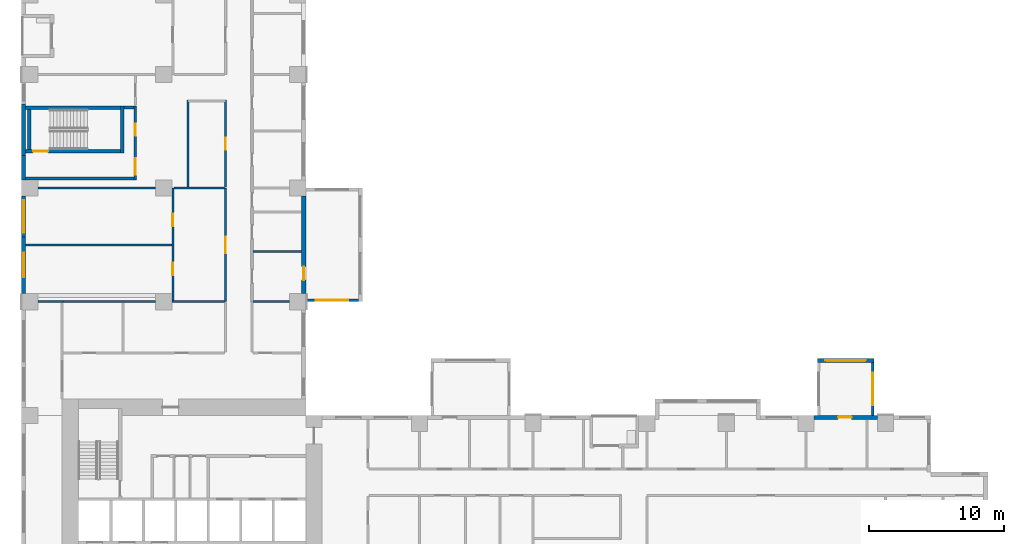
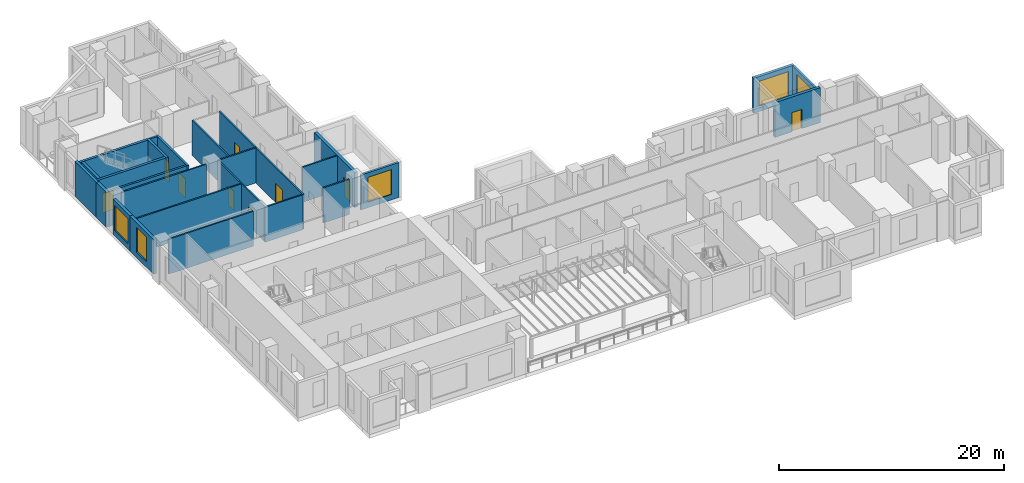
# One storey, part 8 of 16: 28 walls, 9 doors, 5 windows, 14 openings.
"""IFC4 building model written with IfcOpenShell, lengths in metres."""

from ifc_helpers import new_model, si_unit, direction, frame, frame_2d, origin, place, context, subcontext, project, spatial, rectangle, extrude, source, transform, mapped, material, layer, layer_set, type_object, element, fill, save


model = new_model("IFC4")

# Units and contexts
model_context = context("Model", 3, precision=1e-05, world=origin(), true_north=direction((0.0, 1.0)))
body_context = subcontext(model_context, "Body", "Model", "MODEL_VIEW")
ifc_project = project(units=[si_unit("LENGTHUNIT", "METRE"), si_unit("AREAUNIT", "SQUARE_METRE"), si_unit("VOLUMEUNIT", "CUBIC_METRE"), si_unit("PLANEANGLEUNIT", "RADIAN"), si_unit("MASSUNIT", "GRAM", prefix="KILO")], contexts=[model_context])

# Site, building, storey
site_placement = place(None, origin())
site = spatial("IfcSite", under=ifc_project, at=site_placement, CompositionType="ELEMENT")
building_placement = place(site_placement, origin())
building = spatial("IfcBuilding", under=site, at=building_placement, Name="Aurelian Terraces", CompositionType="ELEMENT")
storey_placement = place(building_placement, frame((0.0, 0.0, 95.1)))
storey = spatial("IfcBuildingStorey", under=building, at=storey_placement, Name="L20", CompositionType="ELEMENT", Elevation=95.1)

# Wall, opening, door
ifc_material_1 = material(Name="Terracotta rainscreen cladding", Category="masonry")
ifc_layer_1 = layer(ifc_material_1, 0.3)
ifc_layer_set_1 = layer_set([ifc_layer_1], Name="EW-300")
wall_type_1 = type_object("IfcWallType", Name="EW-300", PredefinedType="STANDARD", material=ifc_layer_set_1)
shared_shape_1 = source(origin(), body_context, "Body", "SweptSolid", [
    extrude(rectangle(XDim=7.2, YDim=0.3, at=frame_2d((3.6, 0.0))), origin(), (0.0, 0.0, 1.0), 3.8),
])
wall_1_placement = place(storey_placement, frame((20.85, 30.0, 0.0), z_axis=(0.0, 0.0, 1.0), x_axis=(0.0, 1.0, 0.0)))
wall_1 = element("IfcWall", 1, at=wall_1_placement, inside=storey, type_object=wall_type_1, Name="External wall L20 F12.26", PredefinedType="STANDARD", context=body_context, shape_type="MappedRepresentation", body=[
    mapped(shared_shape_1, transform((0.0, 0.0, 0.0), scale=1.0)),
])
shared_shape_2 = source(origin(), body_context, "Body", "SweptSolid", [
    extrude(rectangle(XDim=1.0, YDim=2.1, at=frame_2d((0.5, 1.05))), frame((0.0, 0.16, 0.0), z_axis=(0.0, -1.0, 0.0), x_axis=(1.0, 0.0, 0.0)), (0.0, 0.0, 1.0), 0.32),
])
opening_1_placement = place(wall_1_placement, frame((1.0, 0.0, 0.0)))
opening_1 = element("IfcOpeningElement", 2, at=opening_1_placement, cuts=wall_1, Name="Opening 820003", PredefinedType="OPENING", context=body_context, shape_type="MappedRepresentation", body=[
    mapped(shared_shape_2, transform((0.0, 0.0, 0.0), scale=1.0)),
])
ifc_material_2 = material(Name="Timber door leaf", Category="wood")
door_type_1 = type_object("IfcDoorType", Name="Room door 1000x2100 left", OperationType="SINGLE_SWING_LEFT", PredefinedType="DOOR", material=ifc_material_2)
shared_shape_3 = source(origin(), body_context, "Body", "SweptSolid", [
    extrude(rectangle(XDim=1.0, YDim=2.1, at=frame_2d((0.5, 1.05))), frame((0.0, 0.025, 0.0), z_axis=(0.0, -1.0, 0.0), x_axis=(1.0, 0.0, 0.0)), (0.0, 0.0, 1.0), 0.05),
])
door_1_placement = place(opening_1_placement, origin())
door_1 = element("IfcDoor", 3, at=door_1_placement, inside=storey, type_object=door_type_1, Name="Door 820003", OperationType="SINGLE_SWING_LEFT", OverallHeight=2.1, OverallWidth=1.0, PredefinedType="DOOR", context=body_context, shape_type="MappedRepresentation", body=[
    mapped(shared_shape_3, transform((0.0, 0.0, 0.0), scale=1.0)),
])
fill(opening_1, door_1)

shared_shape_4 = source(origin(), body_context, "Body", "SweptSolid", [
    extrude(rectangle(XDim=4.68, YDim=0.3, at=frame_2d((2.34, 0.0))), origin(), (0.0, 0.0, 1.0), 3.8),
])
wall_2_placement = place(storey_placement, frame((63.24, 20.85, 0.0), z_axis=(0.0, 0.0, 1.0), x_axis=(-1.0, 0.0, 0.0)))
wall_2 = element("IfcWall", 4, at=wall_2_placement, inside=storey, type_object=wall_type_1, Name="External wall L20 F11.21", PredefinedType="STANDARD", context=body_context, shape_type="MappedRepresentation", body=[
    mapped(shared_shape_4, transform((0.0, 0.0, 0.0), scale=1.0)),
])
opening_2_placement = place(wall_2_placement, frame((1.8983, 0.0, 0.0)))
opening_2 = element("IfcOpeningElement", 5, at=opening_2_placement, cuts=wall_2, Name="Opening 820002", PredefinedType="OPENING", context=body_context, shape_type="MappedRepresentation", body=[
    mapped(shared_shape_2, transform((0.0, 0.0, 0.0), scale=1.0)),
])
door_2_placement = place(opening_2_placement, origin())
door_2 = element("IfcDoor", 6, at=door_2_placement, inside=storey, type_object=door_type_1, Name="Door 820002", OperationType="SINGLE_SWING_LEFT", OverallHeight=2.1, OverallWidth=1.0, PredefinedType="DOOR", context=body_context, shape_type="MappedRepresentation", body=[
    mapped(shared_shape_3, transform((0.0, 0.0, 0.0), scale=1.0)),
])
fill(opening_2, door_2)

# Walls
ifc_material_3 = material(Name="Concrete fc' 40 MPa", Category="concrete")
ifc_layer_2 = layer(ifc_material_3, 0.3)
ifc_layer_set_2 = layer_set([ifc_layer_2], Name="STAIR BAY WALL 300")
wall_type_2 = type_object("IfcWallType", Name="STAIR BAY WALL 300", PredefinedType="SOLIDWALL", material=ifc_layer_set_2)
shared_shape_5 = source(origin(), body_context, "Body", "SweptSolid", [
    extrude(rectangle(XDim=3.8, YDim=0.3, at=frame_2d((1.9, 0.0))), origin(), (0.0, 0.0, 1.0), 3.8),
])
wall_3_placement = place(storey_placement, frame((0.15, 44.0, 0.0), z_axis=(0.0, 0.0, 1.0), x_axis=(0.0, -1.0, 0.0)))
element("IfcWall", 7, at=wall_3_placement, inside=storey, type_object=wall_type_2, Name="Stair bay wall L20 F18.38", PredefinedType="SOLIDWALL", context=body_context, shape_type="MappedRepresentation", body=[
    mapped(shared_shape_5, transform((0.0, 0.0, 0.0), scale=1.0)),
])
shared_shape_6 = source(origin(), body_context, "Body", "SweptSolid", [
    extrude(rectangle(XDim=1.8, YDim=0.3, at=frame_2d((0.9, 0.0))), origin(), (0.0, 0.0, 1.0), 3.8),
])
wall_4_placement = place(storey_placement, frame((0.15, 40.2, 0.0), z_axis=(0.0, 0.0, 1.0), x_axis=(0.0, -1.0, 0.0)))
element("IfcWall", 8, at=wall_4_placement, inside=storey, type_object=wall_type_1, Name="External wall L20 F18.38", PredefinedType="STANDARD", context=body_context, shape_type="MappedRepresentation", body=[
    mapped(shared_shape_6, transform((0.0, 0.0, 0.0), scale=1.0)),
])

# Wall, opening, window
shared_shape_7 = source(origin(), body_context, "Body", "SweptSolid", [
    extrude(rectangle(XDim=3.0, YDim=0.3, at=frame_2d((1.5, 0.0))), origin(), (0.0, 0.0, 1.0), 3.8),
])
wall_5_placement = place(storey_placement, frame((0.15, 37.2, 0.0), z_axis=(0.0, 0.0, 1.0), x_axis=(0.0, -1.0, 0.0)))
wall_5 = element("IfcWall", 9, at=wall_5_placement, inside=storey, type_object=wall_type_1, Name="External wall L20 F18.38", PredefinedType="STANDARD", context=body_context, shape_type="MappedRepresentation", body=[
    mapped(shared_shape_7, transform((0.0, 0.0, 0.0), scale=1.0)),
])
shared_shape_8 = source(origin(), body_context, "Body", "SweptSolid", [
    extrude(rectangle(XDim=2.4, YDim=2.7, at=frame_2d((1.2, 1.35))), frame((0.0, 0.16, 0.0), z_axis=(0.0, -1.0, 0.0), x_axis=(1.0, 0.0, 0.0)), (0.0, 0.0, 1.0), 0.32),
])
opening_3_placement = place(wall_5_placement, frame((0.3, 0.0, 0.6)))
opening_3 = element("IfcOpeningElement", 10, at=opening_3_placement, cuts=wall_5, Name="Opening W2427", PredefinedType="OPENING", context=body_context, shape_type="MappedRepresentation", body=[
    mapped(shared_shape_8, transform((0.0, 0.0, 0.0), scale=1.0)),
])
ifc_material_4 = material(Name="Clear glazing", Category="glass")
window_type_1 = type_object("IfcWindowType", Name="W-2400x2700", PartitioningType="SINGLE_PANEL", PredefinedType="WINDOW", material=ifc_material_4)
shared_shape_9 = source(origin(), body_context, "Body", "SweptSolid", [
    extrude(rectangle(XDim=2.4, YDim=2.7, at=frame_2d((1.2, 1.35))), frame((0.0, 0.03, 0.0), z_axis=(0.0, -1.0, 0.0), x_axis=(1.0, 0.0, 0.0)), (0.0, 0.0, 1.0), 0.06),
])
window_1_placement = place(opening_3_placement, origin())
window_1 = element("IfcWindow", 11, at=window_1_placement, inside=storey, type_object=window_type_1, Name="Window L20 L20-F18-38-P4", OverallHeight=2.7, OverallWidth=2.4, PartitioningType="SINGLE_PANEL", PredefinedType="WINDOW", context=body_context, shape_type="MappedRepresentation", body=[
    mapped(shared_shape_9, transform((0.0, 0.0, 0.0), scale=1.0)),
])
fill(opening_3, window_1)

ifc_layer_3 = layer(ifc_material_3, 0.2)
ifc_layer_set_3 = layer_set([ifc_layer_3], Name="BOX BEARING WALL 200")
wall_type_3 = type_object("IfcWallType", Name="BOX BEARING WALL 200", PredefinedType="SOLIDWALL", material=ifc_layer_set_3)
shared_shape_10 = source(origin(), body_context, "Body", "SweptSolid", [
    extrude(rectangle(XDim=3.9, YDim=0.2, at=frame_2d((1.95, 0.0))), origin(), (0.0, 0.0, 1.0), 3.8),
])
wall_6_placement = place(storey_placement, frame((62.9, 21.0, 0.0), z_axis=(0.0, 0.0, 1.0), x_axis=(0.0, 1.0, 0.0)))
wall_6 = element("IfcWall", 12, at=wall_6_placement, inside=storey, type_object=wall_type_3, Name="Box return L20 J26.1", PredefinedType="SOLIDWALL", context=body_context, shape_type="MappedRepresentation", body=[
    mapped(shared_shape_10, transform((0.0, 0.0, 0.0), scale=1.0)),
])
shared_shape_11 = source(origin(), body_context, "Body", "SweptSolid", [
    extrude(rectangle(XDim=2.4, YDim=2.7, at=frame_2d((1.2, 1.35))), frame((0.0, 0.11, 0.0), z_axis=(0.0, -1.0, 0.0), x_axis=(1.0, 0.0, 0.0)), (0.0, 0.0, 1.0), 0.22),
])
opening_4_placement = place(wall_6_placement, frame((0.75, 0.0, 0.6)))
opening_4 = element("IfcOpeningElement", 13, at=opening_4_placement, cuts=wall_6, Name="Opening W2427", PredefinedType="OPENING", context=body_context, shape_type="MappedRepresentation", body=[
    mapped(shared_shape_11, transform((0.0, 0.0, 0.0), scale=1.0)),
])
window_2_placement = place(opening_4_placement, origin())
window_2 = element("IfcWindow", 14, at=window_2_placement, inside=storey, type_object=window_type_1, Name="Window L20 J26-S1", OverallHeight=2.7, OverallWidth=2.4, PartitioningType="SINGLE_PANEL", PredefinedType="WINDOW", context=body_context, shape_type="MappedRepresentation", body=[
    mapped(shared_shape_9, transform((0.0, 0.0, 0.0), scale=1.0)),
])
fill(opening_4, window_2)

wall_7_placement = place(storey_placement, frame((21.0, 29.5, 0.0), z_axis=(0.0, 0.0, 1.0), x_axis=(1.0, 0.0, 0.0)))
wall_7 = element("IfcWall", 15, at=wall_7_placement, inside=storey, type_object=wall_type_3, Name="Box return L20 J27.1", PredefinedType="SOLIDWALL", context=body_context, shape_type="MappedRepresentation", body=[
    mapped(shared_shape_10, transform((0.0, 0.0, 0.0), scale=1.0)),
])
opening_5_placement = place(wall_7_placement, frame((0.75, 0.0, 0.6)))
opening_5 = element("IfcOpeningElement", 16, at=opening_5_placement, cuts=wall_7, Name="Opening W2427", PredefinedType="OPENING", context=body_context, shape_type="MappedRepresentation", body=[
    mapped(shared_shape_11, transform((0.0, 0.0, 0.0), scale=1.0)),
])
window_3_placement = place(opening_5_placement, origin())
window_3 = element("IfcWindow", 17, at=window_3_placement, inside=storey, type_object=window_type_1, Name="Window L20 J27-S1", OverallHeight=2.7, OverallWidth=2.4, PartitioningType="SINGLE_PANEL", PredefinedType="WINDOW", context=body_context, shape_type="MappedRepresentation", body=[
    mapped(shared_shape_9, transform((0.0, 0.0, 0.0), scale=1.0)),
])
fill(opening_5, window_3)

ifc_layer_4 = layer(ifc_material_3, 0.3)
ifc_layer_set_4 = layer_set([ifc_layer_4], Name="BOX BEARING WALL 300")
wall_type_4 = type_object("IfcWallType", Name="BOX BEARING WALL 300", PredefinedType="SOLIDWALL", material=ifc_layer_set_4)
shared_shape_12 = source(origin(), body_context, "Body", "SweptSolid", [
    extrude(rectangle(XDim=4.2, YDim=0.3, at=frame_2d((2.1, 0.0))), origin(), (0.0, 0.0, 1.0), 3.8),
])
wall_8_placement = place(storey_placement, frame((63.0, 25.05, 0.0), z_axis=(0.0, 0.0, 1.0), x_axis=(-1.0, 0.0, 0.0)))
wall_8 = element("IfcWall", 18, at=wall_8_placement, inside=storey, type_object=wall_type_4, Name="Box wall L20 J26", PredefinedType="SOLIDWALL", context=body_context, shape_type="MappedRepresentation", body=[
    mapped(shared_shape_12, transform((0.0, 0.0, 0.0), scale=1.0)),
])
shared_shape_13 = source(origin(), body_context, "Body", "SweptSolid", [
    extrude(rectangle(XDim=3.0, YDim=2.7, at=frame_2d((1.5, 1.35))), frame((0.0, 0.16, 0.0), z_axis=(0.0, -1.0, 0.0), x_axis=(1.0, 0.0, 0.0)), (0.0, 0.0, 1.0), 0.32),
])
opening_6_placement = place(wall_8_placement, frame((0.6, 0.0, 0.6)))
opening_6 = element("IfcOpeningElement", 19, at=opening_6_placement, cuts=wall_8, Name="Opening W3027", PredefinedType="OPENING", context=body_context, shape_type="MappedRepresentation", body=[
    mapped(shared_shape_13, transform((0.0, 0.0, 0.0), scale=1.0)),
])
window_type_2 = type_object("IfcWindowType", Name="W-3000x2700", PartitioningType="SINGLE_PANEL", PredefinedType="WINDOW", material=ifc_material_4)
shared_shape_14 = source(origin(), body_context, "Body", "SweptSolid", [
    extrude(rectangle(XDim=3.0, YDim=2.7, at=frame_2d((1.5, 1.35))), frame((0.0, 0.03, 0.0), z_axis=(0.0, -1.0, 0.0), x_axis=(1.0, 0.0, 0.0)), (0.0, 0.0, 1.0), 0.06),
])
window_4_placement = place(opening_6_placement, origin())
window_4 = element("IfcWindow", 20, at=window_4_placement, inside=storey, type_object=window_type_2, Name="Window L20 J26-F1", OverallHeight=2.7, OverallWidth=3.0, PartitioningType="SINGLE_PANEL", PredefinedType="WINDOW", context=body_context, shape_type="MappedRepresentation", body=[
    mapped(shared_shape_14, transform((0.0, 0.0, 0.0), scale=1.0)),
])
fill(opening_6, window_4)

wall_9_placement = place(storey_placement, frame((0.15, 34.2, 0.0), z_axis=(0.0, 0.0, 1.0), x_axis=(0.0, -1.0, 0.0)))
wall_9 = element("IfcWall", 21, at=wall_9_placement, inside=storey, type_object=wall_type_2, Name="Bearing wall L20 F18.38", PredefinedType="SOLIDWALL", context=body_context, shape_type="MappedRepresentation", body=[
    mapped(shared_shape_12, transform((0.0, 0.0, 0.0), scale=1.0)),
])
shared_shape_15 = source(origin(), body_context, "Body", "SweptSolid", [
    extrude(rectangle(XDim=1.8, YDim=2.7, at=frame_2d((0.9, 1.35))), frame((0.0, 0.16, 0.0), z_axis=(0.0, -1.0, 0.0), x_axis=(1.0, 0.0, 0.0)), (0.0, 0.0, 1.0), 0.32),
])
opening_7_placement = place(wall_9_placement, frame((1.175, 0.0, 0.6)))
opening_7 = element("IfcOpeningElement", 22, at=opening_7_placement, cuts=wall_9, Name="Opening W1827", PredefinedType="OPENING", context=body_context, shape_type="MappedRepresentation", body=[
    mapped(shared_shape_15, transform((0.0, 0.0, 0.0), scale=1.0)),
])
window_type_3 = type_object("IfcWindowType", Name="W-1800x2700", PartitioningType="SINGLE_PANEL", PredefinedType="WINDOW", material=ifc_material_4)
shared_shape_16 = source(origin(), body_context, "Body", "SweptSolid", [
    extrude(rectangle(XDim=1.8, YDim=2.7, at=frame_2d((0.9, 1.35))), frame((0.0, 0.03, 0.0), z_axis=(0.0, -1.0, 0.0), x_axis=(1.0, 0.0, 0.0)), (0.0, 0.0, 1.0), 0.06),
])
window_5_placement = place(opening_7_placement, origin())
window_5 = element("IfcWindow", 23, at=window_5_placement, inside=storey, type_object=window_type_3, Name="Window L20 L20-F18-38-P5", OverallHeight=2.7, OverallWidth=1.8, PartitioningType="SINGLE_PANEL", PredefinedType="WINDOW", context=body_context, shape_type="MappedRepresentation", body=[
    mapped(shared_shape_16, transform((0.0, 0.0, 0.0), scale=1.0)),
])
fill(opening_7, window_5)

# Wall, opening, door
ifc_layer_5 = layer(ifc_material_3, 0.25)
ifc_layer_set_5 = layer_set([ifc_layer_5], Name="Stair enclosure wall 250")
wall_type_5 = type_object("IfcWallType", Name="Stair enclosure wall 250", PredefinedType="SOLIDWALL", material=ifc_layer_set_5)
shared_shape_17 = source(origin(), body_context, "Body", "SweptSolid", [
    extrude(rectangle(XDim=7.0, YDim=0.25, at=frame_2d((3.5, 0.0))), origin(), (0.0, 0.0, 1.0), 3.8),
])
wall_10_placement = place(storey_placement, frame((0.3, 40.525, 0.0), z_axis=(0.0, 0.0, 1.0), x_axis=(1.0, 0.0, 0.0)))
wall_10 = element("IfcWall", 24, at=wall_10_placement, inside=storey, type_object=wall_type_5, Name="L20 core wall ST-S3-W", PredefinedType="SOLIDWALL", context=body_context, shape_type="MappedRepresentation", body=[
    mapped(shared_shape_17, transform((0.0, 0.0, 0.0), scale=1.0)),
])
shared_shape_18 = source(origin(), body_context, "Body", "SweptSolid", [
    extrude(rectangle(XDim=1.1, YDim=2.1, at=frame_2d((0.55, 1.05))), frame((0.0, 0.135, 0.0), z_axis=(0.0, -1.0, 0.0), x_axis=(1.0, 0.0, 0.0)), (0.0, 0.0, 1.0), 0.27),
])
opening_8_placement = place(wall_10_placement, frame((0.55, 0.0, 0.0)))
opening_8 = element("IfcOpeningElement", 25, at=opening_8_placement, cuts=wall_10, Name="Opening 62318", PredefinedType="OPENING", context=body_context, shape_type="MappedRepresentation", body=[
    mapped(shared_shape_18, transform((0.0, 0.0, 0.0), scale=1.0)),
])
ifc_material_5 = material(Name="Steel door leaf", Category="steel")
door_type_2 = type_object("IfcDoorType", Name="Core fire door 1100x2100 right", OperationType="SINGLE_SWING_RIGHT", PredefinedType="DOOR", material=ifc_material_5)
shared_shape_19 = source(origin(), body_context, "Body", "SweptSolid", [
    extrude(rectangle(XDim=1.1, YDim=2.1, at=frame_2d((0.55, 1.05))), frame((0.0, 0.025, 0.0), z_axis=(0.0, -1.0, 0.0), x_axis=(1.0, 0.0, 0.0)), (0.0, 0.0, 1.0), 0.05),
])
door_3_placement = place(opening_8_placement, origin())
door_3 = element("IfcDoor", 26, at=door_3_placement, inside=storey, type_object=door_type_2, Name="Stair door 62318", OperationType="SINGLE_SWING_RIGHT", OverallHeight=2.1, OverallWidth=1.1, PredefinedType="DOOR", context=body_context, shape_type="MappedRepresentation", body=[
    mapped(shared_shape_19, transform((0.0, 0.0, 0.0), scale=1.0)),
])
fill(opening_8, door_3)

# Walls
wall_11_placement = place(storey_placement, frame((0.3, 43.725, 0.0), z_axis=(0.0, 0.0, 1.0), x_axis=(1.0, 0.0, 0.0)))
element("IfcWall", 27, at=wall_11_placement, inside=storey, type_object=wall_type_5, Name="L20 core wall ST-S3-E", PredefinedType="SOLIDWALL", context=body_context, shape_type="MappedRepresentation", body=[
    mapped(shared_shape_17, transform((0.0, 0.0, 0.0), scale=1.0)),
])
shared_shape_20 = source(origin(), body_context, "Body", "SweptSolid", [
    extrude(rectangle(XDim=3.45, YDim=0.25, at=frame_2d((1.725, 0.0))), origin(), (0.0, 0.0, 1.0), 3.8),
])
wall_12_placement = place(storey_placement, frame((7.425, 40.4, 0.0), z_axis=(0.0, 0.0, 1.0), x_axis=(0.0, 1.0, 0.0)))
element("IfcWall", 28, at=wall_12_placement, inside=storey, type_object=wall_type_5, Name="L20 core wall ST-S3-N", PredefinedType="SOLIDWALL", context=body_context, shape_type="MappedRepresentation", body=[
    mapped(shared_shape_20, transform((0.0, 0.0, 0.0), scale=1.0)),
])
shared_shape_21 = source(origin(), body_context, "Body", "SweptSolid", [
    extrude(rectangle(XDim=2.95, YDim=0.25, at=frame_2d((1.475, 0.0))), origin(), (0.0, 0.0, 1.0), 3.8),
])
wall_13_placement = place(storey_placement, frame((0.575, 40.65, 0.0), z_axis=(0.0, 0.0, 1.0), x_axis=(0.0, 1.0, 0.0)))
element("IfcWall", 29, at=wall_13_placement, inside=storey, type_object=wall_type_5, Name="L20 core wall ST-S3-SS", PredefinedType="SOLIDWALL", context=body_context, shape_type="MappedRepresentation", body=[
    mapped(shared_shape_21, transform((0.0, 0.0, 0.0), scale=1.0)),
])
ifc_material_6 = material(Name="Gypsum board on steel studs", Category="steel")
ifc_layer_6 = layer(ifc_material_6, 0.2)
ifc_layer_set_6 = layer_set([ifc_layer_6], Name="Core partition 200")
wall_type_6 = type_object("IfcWallType", Name="Core partition 200", PredefinedType="PARTITIONING", material=ifc_layer_set_6)
shared_shape_22 = source(origin(), body_context, "Body", "SweptSolid", [
    extrude(rectangle(XDim=8.0, YDim=0.2, at=frame_2d((4.0, 0.0))), origin(), (0.0, 0.0, 1.0), 3.8),
])
wall_14_placement = place(storey_placement, frame((0.3, 38.5, 0.0), z_axis=(0.0, 0.0, 1.0), x_axis=(1.0, 0.0, 0.0)))
element("IfcWall", 30, at=wall_14_placement, inside=storey, type_object=wall_type_6, Name="L20 core wall ST-S3-VW", PredefinedType="PARTITIONING", context=body_context, shape_type="MappedRepresentation", body=[
    mapped(shared_shape_22, transform((0.0, 0.0, 0.0), scale=1.0)),
])

# Wall, openings, doors
shared_shape_23 = source(origin(), body_context, "Body", "SweptSolid", [
    extrude(rectangle(XDim=5.45, YDim=0.2, at=frame_2d((2.725, 0.0))), origin(), (0.0, 0.0, 1.0), 3.8),
])
wall_15_placement = place(storey_placement, frame((8.4, 38.4, 0.0), z_axis=(0.0, 0.0, 1.0), x_axis=(0.0, 1.0, 0.0)))
wall_15 = element("IfcWall", 31, at=wall_15_placement, inside=storey, type_object=wall_type_6, Name="L20 core wall ST-S3-BN", PredefinedType="PARTITIONING", context=body_context, shape_type="MappedRepresentation", body=[
    mapped(shared_shape_23, transform((0.0, 0.0, 0.0), scale=1.0)),
])
shared_shape_24 = source(origin(), body_context, "Body", "SweptSolid", [
    extrude(rectangle(XDim=1.2, YDim=2.1, at=frame_2d((0.6, 1.05))), frame((0.0, 0.11, 0.0), z_axis=(0.0, -1.0, 0.0), x_axis=(1.0, 0.0, 0.0)), (0.0, 0.0, 1.0), 0.22),
])
opening_9_placement = place(wall_15_placement, frame((0.4, 0.0, 0.0)))
opening_9 = element("IfcOpeningElement", 32, at=opening_9_placement, cuts=wall_15, Name="Opening 62319", PredefinedType="OPENING", context=body_context, shape_type="MappedRepresentation", body=[
    mapped(shared_shape_24, transform((0.0, 0.0, 0.0), scale=1.0)),
])
shared_shape_25 = source(origin(), body_context, "Body", "SweptSolid", [
    extrude(rectangle(XDim=0.9, YDim=2.1, at=frame_2d((0.45, 1.05))), frame((0.0, 0.11, 0.0), z_axis=(0.0, -1.0, 0.0), x_axis=(1.0, 0.0, 0.0)), (0.0, 0.0, 1.0), 0.22),
])
opening_10_placement = place(wall_15_placement, frame((3.25, 0.0, 0.0)))
opening_10 = element("IfcOpeningElement", 33, at=opening_10_placement, cuts=wall_15, Name="Opening 62320", PredefinedType="OPENING", context=body_context, shape_type="MappedRepresentation", body=[
    mapped(shared_shape_25, transform((0.0, 0.0, 0.0), scale=1.0)),
])
door_type_3 = type_object("IfcDoorType", Name="Core riser door 900x2100 right", OperationType="SINGLE_SWING_RIGHT", PredefinedType="DOOR", material=ifc_material_5)
shared_shape_26 = source(origin(), body_context, "Body", "SweptSolid", [
    extrude(rectangle(XDim=0.9, YDim=2.1, at=frame_2d((0.45, 1.05))), frame((0.0, 0.025, 0.0), z_axis=(0.0, -1.0, 0.0), x_axis=(1.0, 0.0, 0.0)), (0.0, 0.0, 1.0), 0.05),
])
door_4_placement = place(opening_10_placement, origin())
door_4 = element("IfcDoor", 34, at=door_4_placement, inside=storey, type_object=door_type_3, Name="Riser door 62320", OperationType="SINGLE_SWING_RIGHT", OverallHeight=2.1, OverallWidth=0.9, PredefinedType="DOOR", context=body_context, shape_type="MappedRepresentation", body=[
    mapped(shared_shape_26, transform((0.0, 0.0, 0.0), scale=1.0)),
])
fill(opening_10, door_4)
door_type_4 = type_object("IfcDoorType", Name="Core fire door 1200x2100", OperationType="SINGLE_SWING_LEFT", PredefinedType="DOOR", material=ifc_material_5)
shared_shape_27 = source(origin(), body_context, "Body", "SweptSolid", [
    extrude(rectangle(XDim=1.2, YDim=2.1, at=frame_2d((0.6, 1.05))), frame((0.0, 0.025, 0.0), z_axis=(0.0, -1.0, 0.0), x_axis=(1.0, 0.0, 0.0)), (0.0, 0.0, 1.0), 0.05),
])
door_5_placement = place(opening_9_placement, origin())
door_5 = element("IfcDoor", 35, at=door_5_placement, inside=storey, type_object=door_type_4, Name="Vestibule door 62319", OperationType="SINGLE_SWING_LEFT", OverallHeight=2.1, OverallWidth=1.2, PredefinedType="DOOR", context=body_context, shape_type="MappedRepresentation", body=[
    mapped(shared_shape_27, transform((0.0, 0.0, 0.0), scale=1.0)),
])
fill(opening_9, door_5)

# Walls
shared_shape_28 = source(origin(), body_context, "Body", "SweptSolid", [
    extrude(rectangle(XDim=0.75, YDim=0.2, at=frame_2d((0.375, 0.0))), origin(), (0.0, 0.0, 1.0), 3.8),
])
wall_16_placement = place(storey_placement, frame((7.55, 43.75, 0.0), z_axis=(0.0, 0.0, 1.0), x_axis=(1.0, 0.0, 0.0)))
element("IfcWall", 36, at=wall_16_placement, inside=storey, type_object=wall_type_6, Name="L20 core wall ST-S3-RE", PredefinedType="PARTITIONING", context=body_context, shape_type="MappedRepresentation", body=[
    mapped(shared_shape_28, transform((0.0, 0.0, 0.0), scale=1.0)),
])
ifc_layer_7 = layer(ifc_material_6, 0.15)
ifc_layer_set_7 = layer_set([ifc_layer_7], Name="Partition 150")
wall_type_7 = type_object("IfcWallType", Name="Partition 150", PredefinedType="PARTITIONING", material=ifc_layer_set_7)
shared_shape_29 = source(origin(), body_context, "Body", "SweptSolid", [
    extrude(rectangle(XDim=6.45, YDim=0.15, at=frame_2d((3.225, 0.0))), origin(), (0.0, 0.0, 1.0), 3.8),
])
wall_17_placement = place(storey_placement, frame((12.3, 44.325, 0.0), z_axis=(0.0, 0.0, 1.0), x_axis=(0.0, -1.0, 0.0)))
element("IfcWall", 37, at=wall_17_placement, inside=storey, type_object=wall_type_7, Name="Partition", PredefinedType="PARTITIONING", context=body_context, shape_type="MappedRepresentation", body=[
    mapped(shared_shape_29, transform((0.0, 0.0, 0.0), scale=1.0)),
])

# Wall, opening, door
ifc_layer_8 = layer(ifc_material_6, 0.15)
ifc_layer_set_8 = layer_set([ifc_layer_8], Name="Fire partition 150")
wall_type_8 = type_object("IfcWallType", Name="Fire partition 150", PredefinedType="PARTITIONING", material=ifc_layer_set_8)
wall_18_placement = place(storey_placement, frame((15.075, 37.875, 0.0), z_axis=(0.0, 0.0, 1.0), x_axis=(0.0, 1.0, 0.0)))
wall_18 = element("IfcWall", 38, at=wall_18_placement, inside=storey, type_object=wall_type_8, Name="Corridor wall", PredefinedType="PARTITIONING", context=body_context, shape_type="MappedRepresentation", body=[
    mapped(shared_shape_29, transform((0.0, 0.0, 0.0), scale=1.0)),
])
shared_shape_30 = source(origin(), body_context, "Body", "SweptSolid", [
    extrude(rectangle(XDim=0.9, YDim=2.1, at=frame_2d((0.45, 1.05))), frame((0.0, 0.085, 0.0), z_axis=(0.0, -1.0, 0.0), x_axis=(1.0, 0.0, 0.0)), (0.0, 0.0, 1.0), 0.17),
])
opening_11_placement = place(wall_18_placement, frame((2.7375, 0.0, 0.0)))
opening_11 = element("IfcOpeningElement", 39, at=opening_11_placement, cuts=wall_18, Name="Opening 720028", PredefinedType="OPENING", context=body_context, shape_type="MappedRepresentation", body=[
    mapped(shared_shape_30, transform((0.0, 0.0, 0.0), scale=1.0)),
])
door_type_5 = type_object("IfcDoorType", Name="Room door 900x2100 left", OperationType="SINGLE_SWING_LEFT", PredefinedType="DOOR", material=ifc_material_2)
door_6_placement = place(opening_11_placement, origin())
door_6 = element("IfcDoor", 40, at=door_6_placement, inside=storey, type_object=door_type_5, Name="Door 720028", OperationType="SINGLE_SWING_LEFT", OverallHeight=2.1, OverallWidth=0.9, PredefinedType="DOOR", context=body_context, shape_type="MappedRepresentation", body=[
    mapped(shared_shape_26, transform((0.0, 0.0, 0.0), scale=1.0)),
])
fill(opening_11, door_6)

# Walls
shared_shape_31 = source(origin(), body_context, "Body", "SweptSolid", [
    extrude(rectangle(XDim=3.75, YDim=0.15, at=frame_2d((1.875, 0.0))), origin(), (0.0, 0.0, 1.0), 3.8),
])
wall_19_placement = place(storey_placement, frame((15.0, 37.8, 0.0), z_axis=(0.0, 0.0, 1.0), x_axis=(-1.0, 0.0, 0.0)))
element("IfcWall", 41, at=wall_19_placement, inside=storey, type_object=wall_type_7, Name="Partition", PredefinedType="PARTITIONING", context=body_context, shape_type="MappedRepresentation", body=[
    mapped(shared_shape_31, transform((0.0, 0.0, 0.0), scale=1.0)),
])
shared_shape_32 = source(origin(), body_context, "Body", "SweptSolid", [
    extrude(rectangle(XDim=8.702, YDim=0.15, at=frame_2d((4.351, 0.0))), origin(), (0.0, 0.0, 1.0), 3.8),
])
wall_20_placement = place(storey_placement, frame((9.901, 37.8, 0.0), z_axis=(0.0, 0.0, 1.0), x_axis=(-1.0, 0.0, 0.0)))
element("IfcWall", 42, at=wall_20_placement, inside=storey, type_object=wall_type_7, Name="Partition", PredefinedType="PARTITIONING", context=body_context, shape_type="MappedRepresentation", body=[
    mapped(shared_shape_32, transform((0.0, 0.0, 0.0), scale=1.0)),
])
shared_shape_33 = source(origin(), body_context, "Body", "SweptSolid", [
    extrude(rectangle(XDim=3.6, YDim=0.15, at=frame_2d((1.8, 0.0))), origin(), (0.0, 0.0, 1.0), 3.8),
])
wall_21_placement = place(storey_placement, frame((17.1, 33.1133, 0.0), z_axis=(0.0, 0.0, 1.0), x_axis=(1.0, 0.0, 0.0)))
element("IfcWall", 43, at=wall_21_placement, inside=storey, type_object=wall_type_7, Name="Partition", PredefinedType="PARTITIONING", context=body_context, shape_type="MappedRepresentation", body=[
    mapped(shared_shape_33, transform((0.0, 0.0, 0.0), scale=1.0)),
])
shared_shape_34 = source(origin(), body_context, "Body", "SweptSolid", [
    extrude(rectangle(XDim=2.701, YDim=0.15, at=frame_2d((1.3505, 0.0))), origin(), (0.0, 0.0, 1.0), 3.8),
])
wall_22_placement = place(storey_placement, frame((19.801, 29.4, 0.0), z_axis=(0.0, 0.0, 1.0), x_axis=(-1.0, 0.0, 0.0)))
element("IfcWall", 44, at=wall_22_placement, inside=storey, type_object=wall_type_7, Name="Partition", PredefinedType="PARTITIONING", context=body_context, shape_type="MappedRepresentation", body=[
    mapped(shared_shape_34, transform((0.0, 0.0, 0.0), scale=1.0)),
])

# Wall, openings, doors
shared_shape_35 = source(origin(), body_context, "Body", "SweptSolid", [
    extrude(rectangle(XDim=8.4, YDim=0.15, at=frame_2d((4.2, 0.0))), origin(), (0.0, 0.0, 1.0), 3.8),
])
wall_23_placement = place(storey_placement, frame((11.175, 29.4, 0.0), z_axis=(0.0, 0.0, 1.0), x_axis=(0.0, 1.0, 0.0)))
wall_23 = element("IfcWall", 45, at=wall_23_placement, inside=storey, type_object=wall_type_7, Name="Partition", PredefinedType="PARTITIONING", context=body_context, shape_type="MappedRepresentation", body=[
    mapped(shared_shape_35, transform((0.0, 0.0, 0.0), scale=1.0)),
])
opening_12_placement = place(wall_23_placement, frame((1.9625, 0.0, 0.0)))
opening_12 = element("IfcOpeningElement", 46, at=opening_12_placement, cuts=wall_23, Name="Opening 720031", PredefinedType="OPENING", context=body_context, shape_type="MappedRepresentation", body=[
    mapped(shared_shape_30, transform((0.0, 0.0, 0.0), scale=1.0)),
])
opening_13_placement = place(wall_23_placement, frame((5.5875, 0.0, 0.0)))
opening_13 = element("IfcOpeningElement", 47, at=opening_13_placement, cuts=wall_23, Name="Opening 720032", PredefinedType="OPENING", context=body_context, shape_type="MappedRepresentation", body=[
    mapped(shared_shape_30, transform((0.0, 0.0, 0.0), scale=1.0)),
])
door_7_placement = place(opening_12_placement, origin())
door_7 = element("IfcDoor", 48, at=door_7_placement, inside=storey, type_object=door_type_5, Name="Door 720031", OperationType="SINGLE_SWING_LEFT", OverallHeight=2.1, OverallWidth=0.9, PredefinedType="DOOR", context=body_context, shape_type="MappedRepresentation", body=[
    mapped(shared_shape_26, transform((0.0, 0.0, 0.0), scale=1.0)),
])
fill(opening_12, door_7)
door_type_6 = type_object("IfcDoorType", Name="Room door 900x2100 right", OperationType="SINGLE_SWING_RIGHT", PredefinedType="DOOR", material=ifc_material_2)
door_8_placement = place(opening_13_placement, origin())
door_8 = element("IfcDoor", 49, at=door_8_placement, inside=storey, type_object=door_type_6, Name="Door 720032", OperationType="SINGLE_SWING_RIGHT", OverallHeight=2.1, OverallWidth=0.9, PredefinedType="DOOR", context=body_context, shape_type="MappedRepresentation", body=[
    mapped(shared_shape_26, transform((0.0, 0.0, 0.0), scale=1.0)),
])
fill(opening_13, door_8)

# Wall, opening, door
wall_24_placement = place(storey_placement, frame((15.075, 29.4, 0.0), z_axis=(0.0, 0.0, 1.0), x_axis=(0.0, 1.0, 0.0)))
wall_24 = element("IfcWall", 50, at=wall_24_placement, inside=storey, type_object=wall_type_8, Name="Corridor wall", PredefinedType="PARTITIONING", context=body_context, shape_type="MappedRepresentation", body=[
    mapped(shared_shape_35, transform((0.0, 0.0, 0.0), scale=1.0)),
])
shared_shape_36 = source(origin(), body_context, "Body", "SweptSolid", [
    extrude(rectangle(XDim=1.2, YDim=2.1, at=frame_2d((0.6, 1.05))), frame((0.0, 0.085, 0.0), z_axis=(0.0, -1.0, 0.0), x_axis=(1.0, 0.0, 0.0)), (0.0, 0.0, 1.0), 0.17),
])
opening_14_placement = place(wall_24_placement, frame((3.6, 0.0, 0.0)))
opening_14 = element("IfcOpeningElement", 51, at=opening_14_placement, cuts=wall_24, Name="Opening 720030", PredefinedType="OPENING", context=body_context, shape_type="MappedRepresentation", body=[
    mapped(shared_shape_36, transform((0.0, 0.0, 0.0), scale=1.0)),
])
door_type_7 = type_object("IfcDoorType", Name="Room door 1200x2100 right", OperationType="SINGLE_SWING_RIGHT", PredefinedType="DOOR", material=ifc_material_2)
door_9_placement = place(opening_14_placement, origin())
door_9 = element("IfcDoor", 52, at=door_9_placement, inside=storey, type_object=door_type_7, Name="Door 720030", OperationType="SINGLE_SWING_RIGHT", OverallHeight=2.1, OverallWidth=1.2, PredefinedType="DOOR", context=body_context, shape_type="MappedRepresentation", body=[
    mapped(shared_shape_27, transform((0.0, 0.0, 0.0), scale=1.0)),
])
fill(opening_14, door_9)

# Walls
shared_shape_37 = source(origin(), body_context, "Body", "SweptSolid", [
    extrude(rectangle(XDim=6.826, YDim=0.15, at=frame_2d((3.413, 0.0))), origin(), (0.0, 0.0, 1.0), 3.8),
])
wall_25_placement = place(storey_placement, frame((9.901, 29.4, 0.0), z_axis=(0.0, 0.0, 1.0), x_axis=(-1.0, 0.0, 0.0)))
element("IfcWall", 53, at=wall_25_placement, inside=storey, type_object=wall_type_7, Name="Partition", PredefinedType="PARTITIONING", context=body_context, shape_type="MappedRepresentation", body=[
    mapped(shared_shape_37, transform((0.0, 0.0, 0.0), scale=1.0)),
])
shared_shape_38 = source(origin(), body_context, "Body", "SweptSolid", [
    extrude(rectangle(XDim=3.901, YDim=0.15, at=frame_2d((1.9505, 0.0))), origin(), (0.0, 0.0, 1.0), 3.8),
])
wall_26_placement = place(storey_placement, frame((15.0, 29.4, 0.0), z_axis=(0.0, 0.0, 1.0), x_axis=(-1.0, 0.0, 0.0)))
element("IfcWall", 54, at=wall_26_placement, inside=storey, type_object=wall_type_7, Name="Partition", PredefinedType="PARTITIONING", context=body_context, shape_type="MappedRepresentation", body=[
    mapped(shared_shape_38, transform((0.0, 0.0, 0.0), scale=1.0)),
])
shared_shape_39 = source(origin(), body_context, "Body", "SweptSolid", [
    extrude(rectangle(XDim=1.856, YDim=0.15, at=frame_2d((0.928, 0.0))), origin(), (0.0, 0.0, 1.0), 3.8),
])
wall_27_placement = place(storey_placement, frame((3.055, 29.4, 0.0), z_axis=(0.0, 0.0, 1.0), x_axis=(-1.0, 0.0, 0.0)))
element("IfcWall", 55, at=wall_27_placement, inside=storey, type_object=wall_type_7, Name="Partition", PredefinedType="PARTITIONING", context=body_context, shape_type="MappedRepresentation", body=[
    mapped(shared_shape_39, transform((0.0, 0.0, 0.0), scale=1.0)),
])
shared_shape_40 = source(origin(), body_context, "Body", "SweptSolid", [
    extrude(rectangle(XDim=10.8, YDim=0.15, at=frame_2d((5.4, 0.0))), origin(), (0.0, 0.0, 1.0), 3.8),
])
wall_28_placement = place(storey_placement, frame((11.1, 33.6, 0.0), z_axis=(0.0, 0.0, 1.0), x_axis=(-1.0, 0.0, 0.0)))
element("IfcWall", 56, at=wall_28_placement, inside=storey, type_object=wall_type_7, Name="Partition", PredefinedType="PARTITIONING", context=body_context, shape_type="MappedRepresentation", body=[
    mapped(shared_shape_40, transform((0.0, 0.0, 0.0), scale=1.0)),
])

save(model, "model.ifc")
